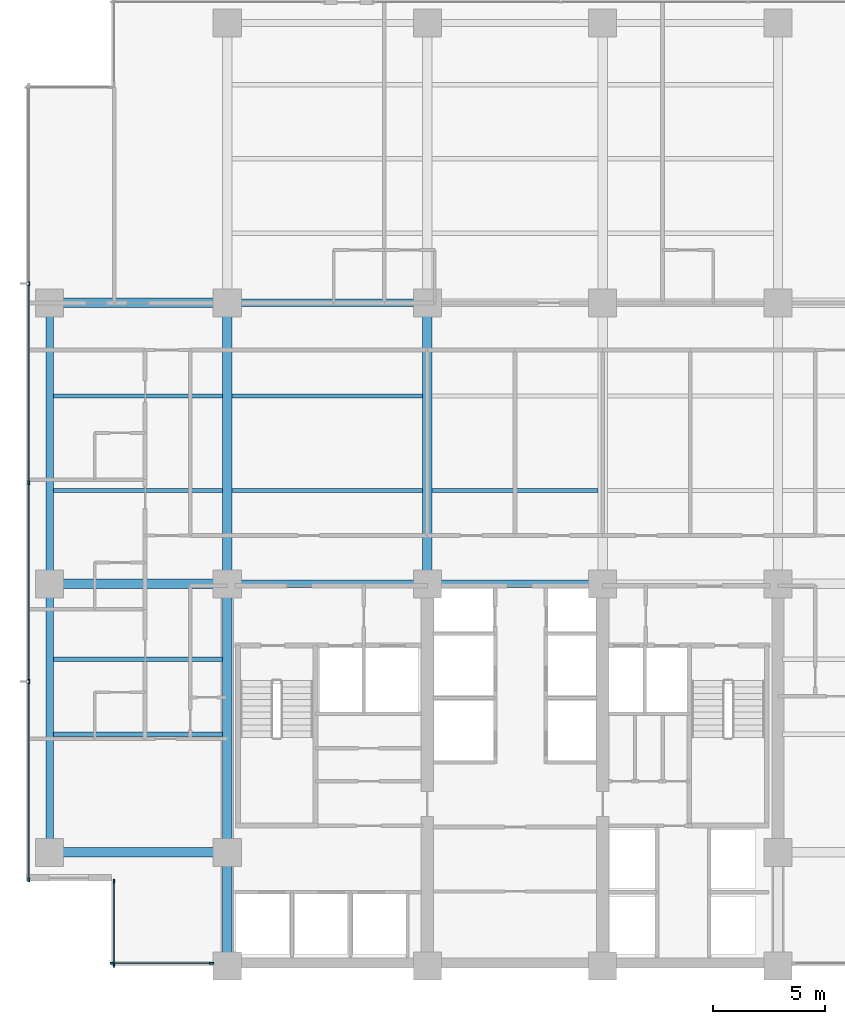
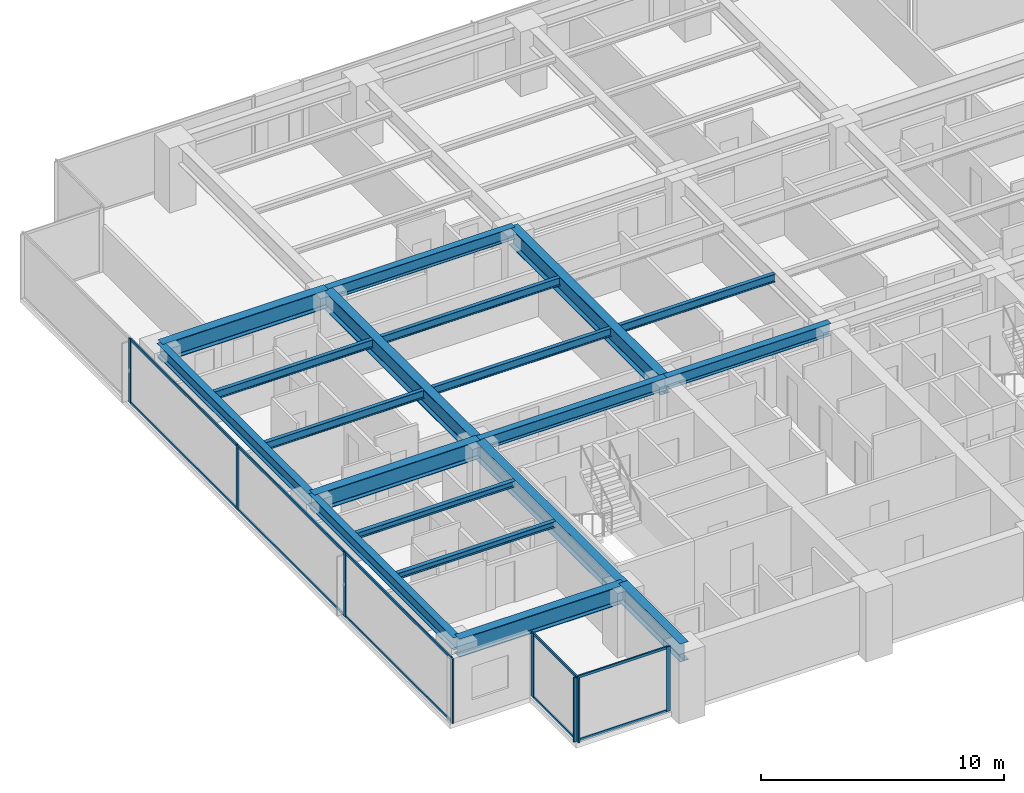
# One storey, part 2 of 17: 19 beams, 18 members, 3 elements without a shape of their own.
"""IFC4 building model written with IfcOpenShell, lengths in metres."""

from ifc_helpers import new_model, si_unit, direction, frame, origin, origin_2d, place, context, subcontext, project, spatial, rectangle, i_section, extrude, material, layer, layer_set, material_profile, profile_set, type_object, element, aggregate, save


model = new_model("IFC4")

# Units and contexts
model_context = context("Model", 3, precision=1e-05, world=origin(), true_north=direction((0.0, 1.0)))
body_context = subcontext(model_context, "Body", "Model", "MODEL_VIEW")
ifc_project = project(units=[si_unit("LENGTHUNIT", "METRE"), si_unit("AREAUNIT", "SQUARE_METRE"), si_unit("VOLUMEUNIT", "CUBIC_METRE"), si_unit("PLANEANGLEUNIT", "RADIAN"), si_unit("MASSUNIT", "GRAM", prefix="KILO")], contexts=[model_context])

# Site, building, storey
site_placement = place(None, origin())
site = spatial("IfcSite", under=ifc_project, at=site_placement, CompositionType="ELEMENT")
building_placement = place(site_placement, origin())
building = spatial("IfcBuilding", under=site, at=building_placement, Name="Qalmaran Belvedere Hotel", CompositionType="ELEMENT")
storey_placement = place(building_placement, frame((0.0, 0.0, 116.199951171875)))
storey = spatial("IfcBuildingStorey", under=building, at=storey_placement, Name="L29", CompositionType="ELEMENT", Elevation=116.199951171875)

# Beams
ifc_material_1 = material(Name="Steel S355JR", Category="steel")
ifc_material_profile_1 = material_profile(ifc_material_1, i_section(OverallWidth=0.202880859375, OverallDepth=0.302978515625, WebThickness=0.007568359375, FlangeThickness=0.01318359375, FilletRadius=0.012939453125, at=origin_2d()), Name="W310X60")
ifc_profile_set_1 = profile_set([ifc_material_profile_1], Name="Steel S355JR")
beam_type_1 = type_object("IfcBeamType", Name="BM-JST-W310X60", PredefinedType="JOIST", material=ifc_profile_set_1)
for number, where, z_axis, x_axis, name in (
    (1, (12.5615234375, 13.800048828125, 3.088623046875), (1.0, 0.0, 0.0), (0.0, 1.0, 0.0), "L29 West Wing Joist 038"),
    (2, (12.5615234375, 17.14990234375, 3.088623046875), (1.0, 0.0, 0.0), (0.0, 1.0, 0.0), "L29 West Wing Joist 040"),
):
    element("IfcBeam", number, at=place(storey_placement, frame(where, z_axis=z_axis, x_axis=x_axis)), inside=storey, type_object=beam_type_1, Name=name, PredefinedType="JOIST", context=body_context, shape_type="SweptSolid", body=[
        extrude(i_section(OverallWidth=0.202880859375, OverallDepth=0.302978515625, WebThickness=0.007568359375, FlangeThickness=0.01318359375, FilletRadius=0.012939453125, at=origin_2d()), origin(), (0.0, 0.0, 1.0), 7.531494140625),
    ])
ifc_material_profile_2 = material_profile(ifc_material_1, i_section(OverallWidth=0.41796875, OverallDepth=0.912109375, WebThickness=0.019287109375, FlangeThickness=0.031982421875, FilletRadius=0.02392578125, at=origin_2d()), Name="W920X342")
ifc_profile_set_2 = profile_set([ifc_material_profile_2], Name="Steel S355JR")
beam_type_2 = type_object("IfcBeamType", Name="BM-PG2-W920X342", PredefinedType="USERDEFINED", material=ifc_profile_set_2)
for number, where, z_axis, x_axis, name in (
    (3, (20.300048828125, 20.5, 2.783935546875), (0.0, 1.0, 0.0), (-1.0, 0.0, 0.0), "L29 Mid-Plate N-S Girder 14"),
    (4, (29.199951171875, 20.5, 2.783935546875), (0.0, 1.0, 0.0), (-1.0, 0.0, 0.0), "L29 Mid-Plate N-S Girder 16"),
):
    element("IfcBeam", number, at=place(storey_placement, frame(where, z_axis=z_axis, x_axis=x_axis)), inside=storey, type_object=beam_type_2, Name=name, ObjectType="GIRDER", PredefinedType="USERDEFINED", context=body_context, shape_type="SweptSolid", body=[
        extrude(i_section(OverallWidth=0.41796875, OverallDepth=0.912109375, WebThickness=0.019287109375, FlangeThickness=0.031982421875, FilletRadius=0.02392578125, at=origin_2d()), origin(), (0.0, 0.0, 1.0), 12.5),
    ])
for number, where, z_axis, x_axis, name in (
    (5, (12.39990234375, 8.550048828125, 2.783935546875), (1.0, 0.0, 0.0), (0.0, 1.0, 0.0), "L29 West Wing Girder 22"),
    (6, (12.39990234375, 20.5, 2.783935546875), (1.0, 0.0, 0.0), (0.0, 1.0, 0.0), "L29 West Wing Girder 23"),
    (7, (12.39990234375, 33.0, 2.783935546875), (1.0, 0.0, 0.0), (0.0, 1.0, 0.0), "L29 West Wing Girder 24"),
):
    element("IfcBeam", number, at=place(storey_placement, frame(where, z_axis=z_axis, x_axis=x_axis)), inside=storey, type_object=beam_type_2, Name=name, ObjectType="GIRDER", PredefinedType="USERDEFINED", context=body_context, shape_type="SweptSolid", body=[
        extrude(i_section(OverallWidth=0.41796875, OverallDepth=0.912109375, WebThickness=0.019287109375, FlangeThickness=0.031982421875, FilletRadius=0.02392578125, at=origin_2d()), origin(), (0.0, 0.0, 1.0), 7.900146484375),
    ])
beam_1_placement = place(storey_placement, frame((20.300048828125, 3.5, 2.783935546875), z_axis=(0.0, 1.0, 0.0), x_axis=(-1.0, 0.0, 0.0)))
element("IfcBeam", 8, at=beam_1_placement, inside=storey, type_object=beam_type_2, Name="L29 West Core Edge Girder A", ObjectType="GIRDER", PredefinedType="USERDEFINED", context=body_context, shape_type="SweptSolid", body=[
    extrude(i_section(OverallWidth=0.41796875, OverallDepth=0.912109375, WebThickness=0.019287109375, FlangeThickness=0.031982421875, FilletRadius=0.02392578125, at=origin_2d()), origin(), (0.0, 0.0, 1.0), 5.050048828125),
])
beam_2_placement = place(storey_placement, frame((20.300048828125, 8.550048828125, 2.783935546875), z_axis=(0.0, 1.0, 0.0), x_axis=(-1.0, 0.0, 0.0)))
element("IfcBeam", 9, at=beam_2_placement, inside=storey, type_object=beam_type_2, Name="L29 West Core Edge Girder B", ObjectType="GIRDER", PredefinedType="USERDEFINED", context=body_context, shape_type="SweptSolid", body=[
    extrude(i_section(OverallWidth=0.41796875, OverallDepth=0.912109375, WebThickness=0.019287109375, FlangeThickness=0.031982421875, FilletRadius=0.02392578125, at=origin_2d()), origin(), (0.0, 0.0, 1.0), 11.949951171875),
])
ifc_material_profile_3 = material_profile(ifc_material_1, i_section(OverallWidth=0.177978515625, OverallDepth=0.406982421875, WebThickness=0.0078125, FlangeThickness=0.0126953125, FilletRadius=0.014892578125, at=origin_2d()), Name="W410X60")
ifc_profile_set_3 = profile_set([ifc_material_profile_3], Name="Steel S355JR")
beam_type_3 = type_object("IfcBeamType", Name="BM-SB2-W410X60", PredefinedType="BEAM", material=ifc_profile_set_3)
beam_3_placement = place(storey_placement, frame((12.5615234375, 24.64990234375, 3.03662109375), z_axis=(1.0, 0.0, 0.0), x_axis=(0.0, 1.0, 0.0)))
element("IfcBeam", 10, at=beam_3_placement, inside=storey, type_object=beam_type_3, Name="L29 West Secondary Beam 028", PredefinedType="BEAM", context=body_context, shape_type="SweptSolid", body=[
    extrude(i_section(OverallWidth=0.177978515625, OverallDepth=0.406982421875, WebThickness=0.0078125, FlangeThickness=0.0126953125, FilletRadius=0.014892578125, at=origin_2d()), origin(), (0.0, 0.0, 1.0), 7.531494140625),
])
beam_4_placement = place(storey_placement, frame((20.507080078125, 24.64990234375, 3.03662109375), z_axis=(1.0, 0.0, 0.0), x_axis=(0.0, 1.0, 0.0)))
element("IfcBeam", 11, at=beam_4_placement, inside=storey, type_object=beam_type_3, Name="L29 Secondary Floor Beam 029", PredefinedType="BEAM", context=body_context, shape_type="SweptSolid", body=[
    extrude(i_section(OverallWidth=0.177978515625, OverallDepth=0.406982421875, WebThickness=0.0078125, FlangeThickness=0.0126953125, FilletRadius=0.014892578125, at=origin_2d()), origin(), (0.0, 0.0, 1.0), 8.48583984375),
])
beam_5_placement = place(storey_placement, frame((29.406982421875, 24.64990234375, 3.03662109375), z_axis=(1.0, 0.0, 0.0), x_axis=(0.0, 1.0, 0.0)))
element("IfcBeam", 12, at=beam_5_placement, inside=storey, type_object=beam_type_3, Name="L29 Secondary Floor Beam 030", PredefinedType="BEAM", context=body_context, shape_type="SweptSolid", body=[
    extrude(i_section(OverallWidth=0.177978515625, OverallDepth=0.406982421875, WebThickness=0.0078125, FlangeThickness=0.0126953125, FilletRadius=0.014892578125, at=origin_2d()), origin(), (0.0, 0.0, 1.0), 7.385986328125),
])
beam_6_placement = place(storey_placement, frame((12.5615234375, 28.85009765625, 3.03662109375), z_axis=(1.0, 0.0, 0.0), x_axis=(0.0, 1.0, 0.0)))
element("IfcBeam", 13, at=beam_6_placement, inside=storey, type_object=beam_type_3, Name="L29 West Secondary Beam 033", PredefinedType="BEAM", context=body_context, shape_type="SweptSolid", body=[
    extrude(i_section(OverallWidth=0.177978515625, OverallDepth=0.406982421875, WebThickness=0.0078125, FlangeThickness=0.0126953125, FilletRadius=0.014892578125, at=origin_2d()), origin(), (0.0, 0.0, 1.0), 7.531494140625),
])
beam_7_placement = place(storey_placement, frame((20.507080078125, 28.85009765625, 3.03662109375), z_axis=(1.0, 0.0, 0.0), x_axis=(0.0, 1.0, 0.0)))
element("IfcBeam", 14, at=beam_7_placement, inside=storey, type_object=beam_type_3, Name="L29 Secondary Floor Beam 034", PredefinedType="BEAM", context=body_context, shape_type="SweptSolid", body=[
    extrude(i_section(OverallWidth=0.177978515625, OverallDepth=0.406982421875, WebThickness=0.0078125, FlangeThickness=0.0126953125, FilletRadius=0.014892578125, at=origin_2d()), origin(), (0.0, 0.0, 1.0), 8.48583984375),
])
ifc_material_profile_4 = material_profile(ifc_material_1, i_section(OverallWidth=0.326904296875, OverallDepth=0.6220703125, WebThickness=0.015380859375, FlangeThickness=0.0244140625, FilletRadius=0.02001953125, at=origin_2d()), Name="W610X195")
ifc_profile_set_4 = profile_set([ifc_material_profile_4], Name="Steel S355JR")
beam_type_4 = type_object("IfcBeamType", Name="BM-SP1-W610X195", PredefinedType="SPANDREL", material=ifc_profile_set_4)
beam_8_placement = place(storey_placement, frame((12.39990234375, 8.550048828125, 2.928955078125), z_axis=(0.0, 1.0, 0.0), x_axis=(-1.0, 0.0, 0.0)))
element("IfcBeam", 15, at=beam_8_placement, inside=storey, type_object=beam_type_4, Name="L29 Perimeter Spandrel 01", PredefinedType="SPANDREL", context=body_context, shape_type="SweptSolid", body=[
    extrude(i_section(OverallWidth=0.326904296875, OverallDepth=0.6220703125, WebThickness=0.015380859375, FlangeThickness=0.0244140625, FilletRadius=0.02001953125, at=origin_2d()), origin(), (0.0, 0.0, 1.0), 11.949951171875),
])
beam_9_placement = place(storey_placement, frame((12.39990234375, 20.5, 2.928955078125), z_axis=(0.0, 1.0, 0.0), x_axis=(-1.0, 0.0, 0.0)))
element("IfcBeam", 16, at=beam_9_placement, inside=storey, type_object=beam_type_4, Name="L29 Perimeter Spandrel 02", PredefinedType="SPANDREL", context=body_context, shape_type="SweptSolid", body=[
    extrude(i_section(OverallWidth=0.326904296875, OverallDepth=0.6220703125, WebThickness=0.015380859375, FlangeThickness=0.0244140625, FilletRadius=0.02001953125, at=origin_2d()), origin(), (0.0, 0.0, 1.0), 12.5),
])
ifc_material_profile_5 = material_profile(ifc_material_1, i_section(OverallWidth=0.323974609375, OverallDepth=0.611083984375, WebThickness=0.0126953125, FlangeThickness=0.01904296875, FilletRadius=0.02001953125, at=origin_2d()), Name="W610X155")
ifc_profile_set_5 = profile_set([ifc_material_profile_5], Name="Steel S355JR")
beam_type_5 = type_object("IfcBeamType", Name="BM-Z2-W610X155", PredefinedType="USERDEFINED", material=ifc_profile_set_5)
beam_10_placement = place(storey_placement, frame((20.300048828125, 20.5, 2.9345703125), z_axis=(1.0, 0.0, 0.0), x_axis=(0.0, 1.0, 0.0)))
element("IfcBeam", 17, at=beam_10_placement, inside=storey, type_object=beam_type_5, Name="L29 Interior E-W Girder 08", ObjectType="GIRDER", PredefinedType="USERDEFINED", context=body_context, shape_type="SweptSolid", body=[
    extrude(i_section(OverallWidth=0.323974609375, OverallDepth=0.611083984375, WebThickness=0.0126953125, FlangeThickness=0.01904296875, FilletRadius=0.02001953125, at=origin_2d()), origin(), (0.0, 0.0, 1.0), 8.89990234375),
])
beam_11_placement = place(storey_placement, frame((29.199951171875, 20.5, 2.9345703125), z_axis=(1.0, 0.0, 0.0), x_axis=(0.0, 1.0, 0.0)))
element("IfcBeam", 18, at=beam_11_placement, inside=storey, type_object=beam_type_5, Name="L29 Interior E-W Girder 09", ObjectType="GIRDER", PredefinedType="USERDEFINED", context=body_context, shape_type="SweptSolid", body=[
    extrude(i_section(OverallWidth=0.323974609375, OverallDepth=0.611083984375, WebThickness=0.0126953125, FlangeThickness=0.01904296875, FilletRadius=0.02001953125, at=origin_2d()), origin(), (0.0, 0.0, 1.0), 7.800048828125),
])
beam_12_placement = place(storey_placement, frame((20.300048828125, 33.0, 2.9345703125), z_axis=(1.0, 0.0, 0.0), x_axis=(0.0, 1.0, 0.0)))
element("IfcBeam", 19, at=beam_12_placement, inside=storey, type_object=beam_type_5, Name="L29 Interior E-W Girder 11", ObjectType="GIRDER", PredefinedType="USERDEFINED", context=body_context, shape_type="SweptSolid", body=[
    extrude(i_section(OverallWidth=0.323974609375, OverallDepth=0.611083984375, WebThickness=0.0126953125, FlangeThickness=0.01904296875, FilletRadius=0.02001953125, at=origin_2d()), origin(), (0.0, 0.0, 1.0), 8.89990234375),
])

# Curtain wall, members
ifc_material_2 = material(Name="Anodised Bronze Aluminium", Category="aluminium")
ifc_layer = layer(ifc_material_2, 0.199951171875, Name="Anodised Bronze Aluminium")
ifc_layer_set = layer_set([ifc_layer], Name="Anodised Bronze Aluminium")
curtain_wall_type = type_object("IfcCurtainWallType", Name="CW3-TOWER-LOWMID", PredefinedType="NOTDEFINED", material=ifc_layer_set)
curtain_wall_1_placement = place(storey_placement, origin())
curtain_wall_1 = element("IfcCurtainWall", 20, at=curtain_wall_1_placement, inside=storey, type_object=curtain_wall_type, Name="L29 Curtain Wall CW3", PredefinedType="NOTDEFINED")
ifc_material_profile_6 = material_profile(ifc_material_2, rectangle(XDim=0.070068359375, YDim=0.18994140625, at=origin_2d()), Name="CWM70X190")
ifc_profile_set_6 = profile_set([ifc_material_profile_6], Name="Anodised Bronze Aluminium")
member_type_1 = type_object("IfcMemberType", Name="CWM-70X190", PredefinedType="MULLION", material=ifc_profile_set_6)
member_1_placement = place(storey_placement, frame((15.18505859375, 3.6201171875, 0.0), z_axis=(0.0, 0.0, 1.0), x_axis=(0.0, 1.0, 0.0)))
member_1 = element("IfcMember", 21, at=member_1_placement, type_object=member_type_1, Name="CW3 mullion 1", PredefinedType="MULLION", context=body_context, shape_type="SweptSolid", body=[
    extrude(rectangle(XDim=0.070068359375, YDim=0.18994140625, at=origin_2d()), origin(), (0.0, 0.0, 1.0), 3.239990234375),
])
member_2_placement = place(storey_placement, frame((19.60009765625, 3.6201171875, 0.0), z_axis=(0.0, 0.0, 1.0), x_axis=(0.0, 1.0, 0.0)))
member_2 = element("IfcMember", 22, at=member_2_placement, type_object=member_type_1, Name="CW3 mullion 2", PredefinedType="MULLION", context=body_context, shape_type="SweptSolid", body=[
    extrude(rectangle(XDim=0.070068359375, YDim=0.18994140625, at=origin_2d()), origin(), (0.0, 0.0, 1.0), 3.239990234375),
])

curtain_wall_2_placement = place(storey_placement, origin())
curtain_wall_2 = element("IfcCurtainWall", 23, at=curtain_wall_2_placement, inside=storey, type_object=curtain_wall_type, Name="L29 Curtain Wall CW3", PredefinedType="NOTDEFINED")
member_3_placement = place(storey_placement, frame((11.469970703125, 33.85009765625, 0.0), z_axis=(0.0, 0.0, 1.0), x_axis=(1.0, 0.0, 0.0)))
member_3 = element("IfcMember", 24, at=member_3_placement, type_object=member_type_1, Name="CW3 mullion 2", PredefinedType="MULLION", context=body_context, shape_type="SweptSolid", body=[
    extrude(rectangle(XDim=0.070068359375, YDim=0.18994140625, at=origin_2d()), origin(), (0.0, 0.0, 1.0), 3.239990234375),
])
member_4_placement = place(storey_placement, frame((11.469970703125, 25.0, 0.0), z_axis=(0.0, 0.0, 1.0), x_axis=(1.0, 0.0, 0.0)))
member_4 = element("IfcMember", 25, at=member_4_placement, type_object=member_type_1, Name="CW3 mullion 3", PredefinedType="MULLION", context=body_context, shape_type="SweptSolid", body=[
    extrude(rectangle(XDim=0.070068359375, YDim=0.18994140625, at=origin_2d()), origin(), (0.0, 0.0, 1.0), 3.239990234375),
])
member_5_placement = place(storey_placement, frame((11.469970703125, 16.14990234375, 0.0), z_axis=(0.0, 0.0, 1.0), x_axis=(1.0, 0.0, 0.0)))
member_5 = element("IfcMember", 26, at=member_5_placement, type_object=member_type_1, Name="CW3 mullion 4", PredefinedType="MULLION", context=body_context, shape_type="SweptSolid", body=[
    extrude(rectangle(XDim=0.070068359375, YDim=0.18994140625, at=origin_2d()), origin(), (0.0, 0.0, 1.0), 3.239990234375),
])
member_6_placement = place(storey_placement, frame((11.469970703125, 7.3349609375, 0.0), z_axis=(0.0, 0.0, 1.0), x_axis=(1.0, 0.0, 0.0)))
member_6 = element("IfcMember", 27, at=member_6_placement, type_object=member_type_1, Name="CW3 mullion 5", PredefinedType="MULLION", context=body_context, shape_type="SweptSolid", body=[
    extrude(rectangle(XDim=0.070068359375, YDim=0.18994140625, at=origin_2d()), origin(), (0.0, 0.0, 1.0), 3.239990234375),
])

curtain_wall_3_placement = place(storey_placement, origin())
curtain_wall_3 = element("IfcCurtainWall", 28, at=curtain_wall_3_placement, inside=storey, type_object=curtain_wall_type, Name="L29 Curtain Wall CW3", PredefinedType="NOTDEFINED")
member_7_placement = place(storey_placement, frame((15.27001953125, 7.264892578125, 0.0), z_axis=(0.0, 0.0, 1.0), x_axis=(1.0, 0.0, 0.0)))
member_7 = element("IfcMember", 29, at=member_7_placement, type_object=member_type_1, Name="CW3 mullion 1", PredefinedType="MULLION", context=body_context, shape_type="SweptSolid", body=[
    extrude(rectangle(XDim=0.070068359375, YDim=0.18994140625, at=origin_2d()), origin(), (0.0, 0.0, 1.0), 3.239990234375),
])
member_8_placement = place(storey_placement, frame((15.27001953125, 3.534912109375, 0.0), z_axis=(0.0, 0.0, 1.0), x_axis=(1.0, 0.0, 0.0)))
member_8 = element("IfcMember", 30, at=member_8_placement, type_object=member_type_1, Name="CW3 mullion 2", PredefinedType="MULLION", context=body_context, shape_type="SweptSolid", body=[
    extrude(rectangle(XDim=0.070068359375, YDim=0.18994140625, at=origin_2d()), origin(), (0.0, 0.0, 1.0), 3.239990234375),
])

# Member
ifc_material_profile_7 = material_profile(ifc_material_2, rectangle(XDim=0.06494140625, YDim=0.1298828125, at=origin_2d()), Name="CWT65X130")
ifc_profile_set_7 = profile_set([ifc_material_profile_7], Name="Anodised Bronze Aluminium")
member_type_2 = type_object("IfcMemberType", Name="CWT-65X130", PredefinedType="USERDEFINED", material=ifc_profile_set_7)
member_9_placement = place(storey_placement, frame((15.219970703125, 3.6201171875, 0.032470703125), z_axis=(1.0, 0.0, 0.0), x_axis=(0.0, 1.0, 0.0)))
member_9 = element("IfcMember", 31, at=member_9_placement, type_object=member_type_2, Name="CW3 transom 1.1", ObjectType="TRANSOM", PredefinedType="USERDEFINED", context=body_context, shape_type="SweptSolid", body=[
    extrude(rectangle(XDim=0.06494140625, YDim=0.1298828125, at=origin_2d()), origin(), (0.0, 0.0, 1.0), 4.344970703125),
])

member_10_placement = place(storey_placement, frame((15.219970703125, 3.6201171875, 3.20751953125), z_axis=(1.0, 0.0, 0.0), x_axis=(0.0, 1.0, 0.0)))
member_10 = element("IfcMember", 32, at=member_10_placement, type_object=member_type_2, Name="CW3 transom 1.2", ObjectType="TRANSOM", PredefinedType="USERDEFINED", context=body_context, shape_type="SweptSolid", body=[
    extrude(rectangle(XDim=0.06494140625, YDim=0.1298828125, at=origin_2d()), origin(), (0.0, 0.0, 1.0), 4.344970703125),
])

aggregate(curtain_wall_1, [member_1, member_2, member_9, member_10])

member_11_placement = place(storey_placement, frame((11.469970703125, 33.81494140625, 0.032470703125), z_axis=(0.0, -1.0, 0.0), x_axis=(1.0, 0.0, 0.0)))
member_11 = element("IfcMember", 33, at=member_11_placement, type_object=member_type_2, Name="CW3 transom 2.1", ObjectType="TRANSOM", PredefinedType="USERDEFINED", context=body_context, shape_type="SweptSolid", body=[
    extrude(rectangle(XDim=0.06494140625, YDim=0.1298828125, at=origin_2d()), origin(), (0.0, 0.0, 1.0), 8.780029296875),
])

member_12_placement = place(storey_placement, frame((11.469970703125, 33.81494140625, 3.20751953125), z_axis=(0.0, -1.0, 0.0), x_axis=(1.0, 0.0, 0.0)))
member_12 = element("IfcMember", 34, at=member_12_placement, type_object=member_type_2, Name="CW3 transom 2.2", ObjectType="TRANSOM", PredefinedType="USERDEFINED", context=body_context, shape_type="SweptSolid", body=[
    extrude(rectangle(XDim=0.06494140625, YDim=0.1298828125, at=origin_2d()), origin(), (0.0, 0.0, 1.0), 8.780029296875),
])

member_13_placement = place(storey_placement, frame((11.469970703125, 24.965087890625, 0.032470703125), z_axis=(0.0, -1.0, 0.0), x_axis=(1.0, 0.0, 0.0)))
member_13 = element("IfcMember", 35, at=member_13_placement, type_object=member_type_2, Name="CW3 transom 3.1", ObjectType="TRANSOM", PredefinedType="USERDEFINED", context=body_context, shape_type="SweptSolid", body=[
    extrude(rectangle(XDim=0.06494140625, YDim=0.1298828125, at=origin_2d()), origin(), (0.0, 0.0, 1.0), 8.780029296875),
])

member_14_placement = place(storey_placement, frame((11.469970703125, 24.965087890625, 3.20751953125), z_axis=(0.0, -1.0, 0.0), x_axis=(1.0, 0.0, 0.0)))
member_14 = element("IfcMember", 36, at=member_14_placement, type_object=member_type_2, Name="CW3 transom 3.2", ObjectType="TRANSOM", PredefinedType="USERDEFINED", context=body_context, shape_type="SweptSolid", body=[
    extrude(rectangle(XDim=0.06494140625, YDim=0.1298828125, at=origin_2d()), origin(), (0.0, 0.0, 1.0), 8.780029296875),
])

member_15_placement = place(storey_placement, frame((11.469970703125, 16.114990234375, 0.032470703125), z_axis=(0.0, -1.0, 0.0), x_axis=(1.0, 0.0, 0.0)))
member_15 = element("IfcMember", 37, at=member_15_placement, type_object=member_type_2, Name="CW3 transom 4.1", ObjectType="TRANSOM", PredefinedType="USERDEFINED", context=body_context, shape_type="SweptSolid", body=[
    extrude(rectangle(XDim=0.06494140625, YDim=0.1298828125, at=origin_2d()), origin(), (0.0, 0.0, 1.0), 8.744873046875),
])

member_16_placement = place(storey_placement, frame((11.469970703125, 16.114990234375, 3.20751953125), z_axis=(0.0, -1.0, 0.0), x_axis=(1.0, 0.0, 0.0)))
member_16 = element("IfcMember", 38, at=member_16_placement, type_object=member_type_2, Name="CW3 transom 4.2", ObjectType="TRANSOM", PredefinedType="USERDEFINED", context=body_context, shape_type="SweptSolid", body=[
    extrude(rectangle(XDim=0.06494140625, YDim=0.1298828125, at=origin_2d()), origin(), (0.0, 0.0, 1.0), 8.744873046875),
])

aggregate(curtain_wall_2, [member_3, member_4, member_5, member_6, member_11, member_12, member_13, member_14, member_15, member_16])

member_17_placement = place(storey_placement, frame((15.27001953125, 7.22998046875, 0.032470703125), z_axis=(0.0, -1.0, 0.0), x_axis=(1.0, 0.0, 0.0)))
member_17 = element("IfcMember", 39, at=member_17_placement, type_object=member_type_2, Name="CW3 transom 1.1", ObjectType="TRANSOM", PredefinedType="USERDEFINED", context=body_context, shape_type="SweptSolid", body=[
    extrude(rectangle(XDim=0.06494140625, YDim=0.1298828125, at=origin_2d()), origin(), (0.0, 0.0, 1.0), 3.659912109375),
])

member_18_placement = place(storey_placement, frame((15.27001953125, 7.22998046875, 3.20751953125), z_axis=(0.0, -1.0, 0.0), x_axis=(1.0, 0.0, 0.0)))
member_18 = element("IfcMember", 40, at=member_18_placement, type_object=member_type_2, Name="CW3 transom 1.2", ObjectType="TRANSOM", PredefinedType="USERDEFINED", context=body_context, shape_type="SweptSolid", body=[
    extrude(rectangle(XDim=0.06494140625, YDim=0.1298828125, at=origin_2d()), origin(), (0.0, 0.0, 1.0), 3.659912109375),
])

aggregate(curtain_wall_3, [member_7, member_8, member_17, member_18])

save(model, "model.ifc")
